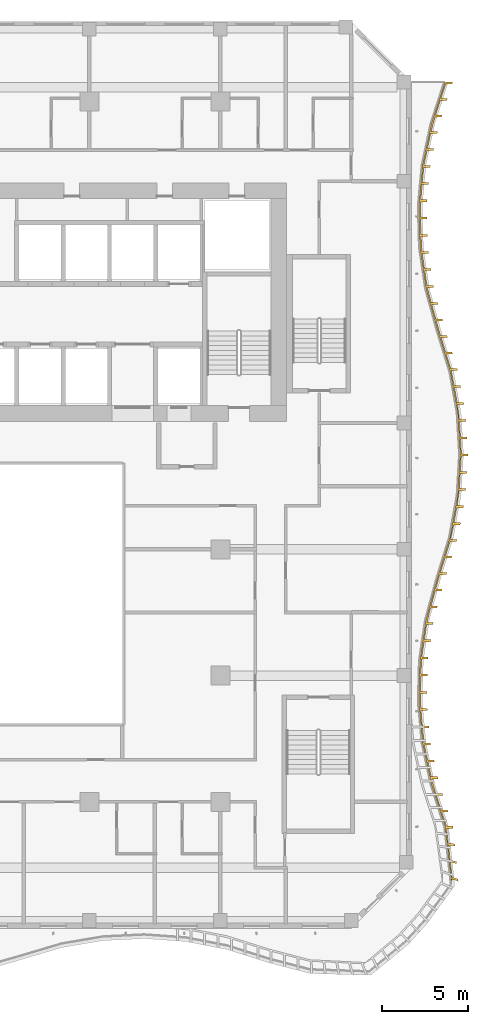
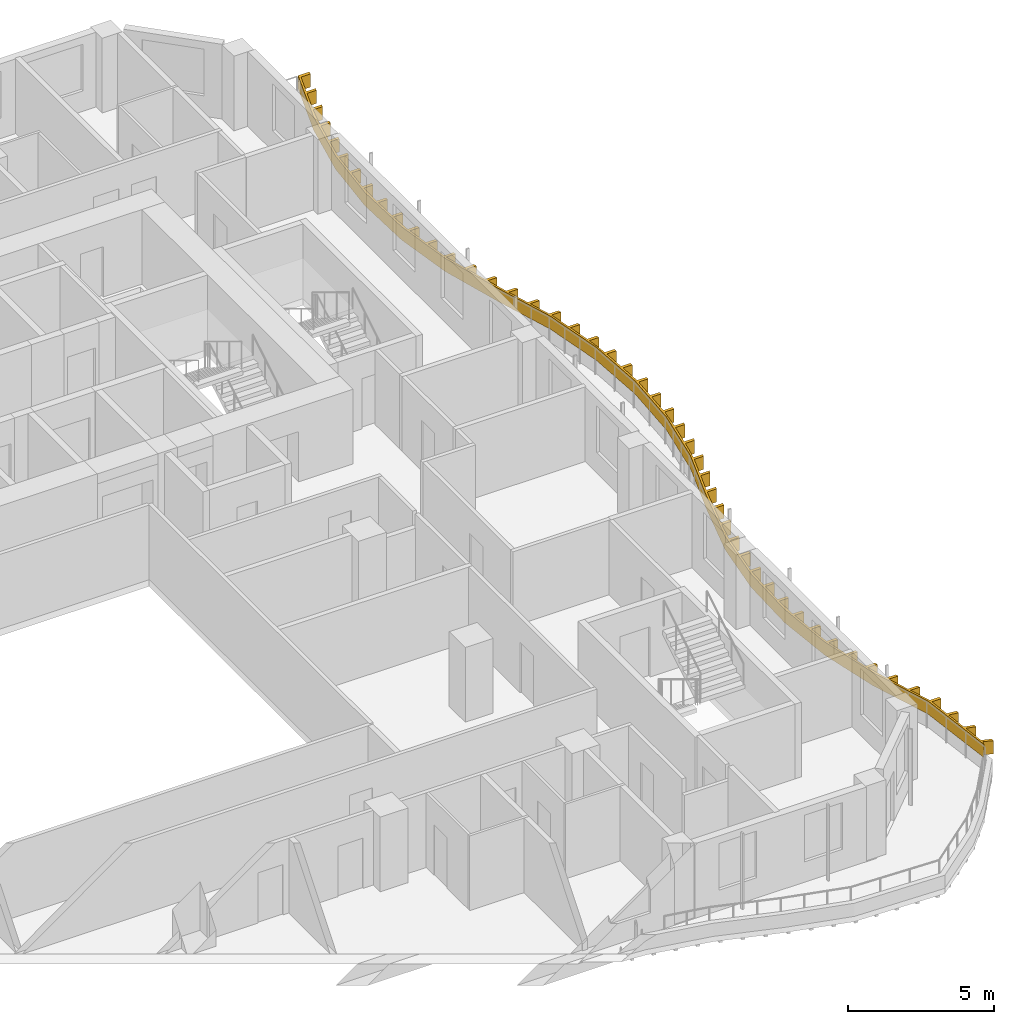
# One storey, part 19 of 22: 1 shading device.
"""IFC4 building model written with IfcOpenShell, lengths in metres."""

from ifc_helpers import new_model, si_unit, direction, frame, origin, place, context, subcontext, project, spatial, polyline, outline, extrude, source, transform, mapped, material, layer, layer_set, type_object, element, save


model = new_model("IFC4")

# Units and contexts
model_context = context("Model", 3, precision=1e-05, world=origin(), true_north=direction((0.0, 1.0)))
body_context = subcontext(model_context, "Body", "Model", "MODEL_VIEW")
ifc_project = project(units=[si_unit("LENGTHUNIT", "METRE"), si_unit("AREAUNIT", "SQUARE_METRE"), si_unit("VOLUMEUNIT", "CUBIC_METRE"), si_unit("PLANEANGLEUNIT", "RADIAN"), si_unit("MASSUNIT", "GRAM", prefix="KILO")], contexts=[model_context])

# Site, building, storey
site_placement = place(None, origin())
site = spatial("IfcSite", under=ifc_project, at=site_placement, CompositionType="ELEMENT")
building_placement = place(site_placement, origin())
building = spatial("IfcBuilding", under=site, at=building_placement, Name="Kilnfold Tower and Market Hall", CompositionType="ELEMENT")
storey_placement = place(building_placement, frame((0.0, 0.0, 154.10009765625)))
storey = spatial("IfcBuildingStorey", under=building, at=storey_placement, Name="L35", CompositionType="ELEMENT", Elevation=154.10009765625)

# Shading device
ifc_material = material(Name="Bronze anodised aluminium", Category="aluminium")
ifc_layer = layer(ifc_material, 0.550048828125)
ifc_layer_set = layer_set([ifc_layer], Name="Bronze anodised aluminium")
shading_device_type = type_object("IfcShadingDeviceType", Name="BRONZE SLAT FASCIA 550", PredefinedType="USERDEFINED", material=ifc_layer_set)
shared_shape = source(origin(), body_context, "Body", "SweptSolid", [
    extrude(outline(polyline([(27.943603515625, -18.53173828125), (27.597900390625, -18.40380859375), (27.544189453125, -18.552734375), (27.18359375, -15.355224609375), (26.404052734375, -12.96044921875), (25.884765625, -10.56591796875), (25.661376953125, -8.171142578125), (25.723388671875, -5.7763671875), (26.07421875, -3.381591796875), (26.7294921875, -0.98681640625), (27.469970703125, 1.407958984375), (27.90576171875, 3.802490234375), (28.050048828125, 6.197509765625), (27.908935546875, 8.592041015625), (27.476318359375, 10.98681640625), (26.73828125, 13.381591796875), (26.07958984375, 15.7763671875), (25.7255859375, 18.171142578125), (25.660400390625, 20.56591796875), (25.880859375, 22.96044921875), (26.396728515625, 25.355224609375), (27.175537109375, 27.75), (27.62548828125, 27.75), (27.585205078125, 27.62548828125), (27.215087890625, 27.62548828125), (26.943115234375, 26.788818359375), (27.31298828125, 26.788818359375), (27.27587890625, 26.674560546875), (26.90576171875, 26.674560546875), (26.6337890625, 25.837646484375), (27.003662109375, 25.837646484375), (26.966552734375, 25.7236328125), (26.5966796875, 25.7236328125), (26.373046875, 24.87353515625), (26.742919921875, 24.87353515625), (26.7177734375, 24.75634765625), (26.347900390625, 24.75634765625), (26.162353515625, 23.89599609375), (26.532470703125, 23.89599609375), (26.507080078125, 23.77880859375), (26.13720703125, 23.77880859375), (25.95703125, 22.917724609375), (26.326904296875, 22.917724609375), (26.31591796875, 22.798095703125), (25.946044921875, 22.798095703125), (25.865234375, 21.921875), (26.2353515625, 21.921875), (26.224365234375, 21.802490234375), (25.854248046875, 21.802490234375), (25.773681640625, 20.926025390625), (26.1435546875, 20.926025390625), (26.132568359375, 20.806640625), (25.7626953125, 20.806640625), (25.7578125, 19.927978515625), (26.127685546875, 19.927978515625), (26.131103515625, 19.807861328125), (25.760986328125, 19.807861328125), (25.78515625, 18.92822265625), (26.155029296875, 18.92822265625), (26.158203125, 18.808349609375), (25.788330078125, 18.808349609375), (25.84130859375, 17.93115234375), (26.211181640625, 17.93115234375), (26.228759765625, 17.8125), (25.858642578125, 17.8125), (25.9873046875, 16.94189453125), (26.357421875, 16.94189453125), (26.375, 16.8232421875), (26.0048828125, 16.8232421875), (26.133544921875, 15.95263671875), (26.50341796875, 15.95263671875), (26.52099609375, 15.833984375), (26.151123046875, 15.833984375), (26.37744140625, 14.98388671875), (26.74755859375, 14.98388671875), (26.779296875, 14.868408203125), (26.4091796875, 14.868408203125), (26.642578125, 14.019775390625), (27.0126953125, 14.019775390625), (27.04443359375, 13.904052734375), (26.674560546875, 13.904052734375), (26.917724609375, 13.05859375), (27.287841796875, 13.05859375), (27.322998046875, 12.94384765625), (26.953125, 12.94384765625), (27.21240234375, 12.102783203125), (27.582275390625, 12.102783203125), (27.61767578125, 11.988037109375), (27.247802734375, 11.988037109375), (27.5068359375, 11.147216796875), (27.876953125, 11.147216796875), (27.912109375, 11.032470703125), (27.542236328125, 11.032470703125), (27.7041015625, 10.16796875), (28.07421875, 10.16796875), (28.095703125, 10.0498046875), (27.7255859375, 10.0498046875), (27.882080078125, 9.183837890625), (28.251953125, 9.183837890625), (28.273193359375, 9.065673828125), (27.9033203125, 9.065673828125), (28.012451171875, 8.194091796875), (28.38232421875, 8.194091796875), (28.389404296875, 8.07421875), (28.019287109375, 8.07421875), (28.0712890625, 7.19580078125), (28.441162109375, 7.19580078125), (28.4482421875, 7.075927734375), (28.078125, 7.075927734375), (28.1298828125, 6.197509765625), (28.5, 6.197509765625), (28.492919921875, 6.077880859375), (28.122802734375, 6.077880859375), (28.06982421875, 5.19921875), (28.43994140625, 5.19921875), (28.4326171875, 5.07958984375), (28.062744140625, 5.07958984375), (28.009765625, 4.201171875), (28.3798828125, 4.201171875), (28.37255859375, 4.081298828125), (28.002685546875, 4.081298828125), (27.878173828125, 3.211669921875), (28.248291015625, 3.211669921875), (28.226806640625, 3.093505859375), (27.856689453125, 3.093505859375), (27.69921875, 2.227783203125), (28.069091796875, 2.227783203125), (28.047607421875, 2.109619140625), (27.677734375, 2.109619140625), (27.500732421875, 1.24853515625), (27.87060546875, 1.24853515625), (27.835205078125, 1.134033203125), (27.46533203125, 1.134033203125), (27.205322265625, 0.293212890625), (27.5751953125, 0.293212890625), (27.539794921875, 0.1787109375), (27.169921875, 0.1787109375), (26.909912109375, -0.662109375), (27.27978515625, -0.662109375), (27.244384765625, -0.776611328125), (26.87451171875, -0.776611328125), (26.63525390625, -1.62353515625), (27.005126953125, -1.62353515625), (26.9736328125, -1.7392578125), (26.603515625, -1.7392578125), (26.371337890625, -2.588134765625), (26.741455078125, -2.588134765625), (26.709716796875, -2.703857421875), (26.339599609375, -2.703857421875), (26.128662109375, -3.556884765625), (26.49853515625, -3.556884765625), (26.481201171875, -3.67578125), (26.111083984375, -3.67578125), (25.983642578125, -4.54638671875), (26.353759765625, -4.54638671875), (26.336181640625, -4.665283203125), (25.96630859375, -4.665283203125), (25.838623046875, -5.535888671875), (26.208740234375, -5.535888671875), (26.19140625, -5.654541015625), (25.8212890625, -5.654541015625), (25.78369140625, -6.533203125), (26.15380859375, -6.533203125), (26.150634765625, -6.653076171875), (25.78076171875, -6.653076171875), (25.7578125, -7.53271484375), (26.1279296875, -7.53271484375), (26.124755859375, -7.652587890625), (25.7548828125, -7.652587890625), (25.77490234375, -8.531005859375), (26.14501953125, -8.531005859375), (26.156005859375, -8.650390625), (25.785888671875, -8.650390625), (25.867919921875, -9.526611328125), (26.23779296875, -9.526611328125), (26.2490234375, -9.64599609375), (25.87890625, -9.64599609375), (25.960693359375, -10.522216796875), (26.330810546875, -10.522216796875), (26.35107421875, -10.640380859375), (25.98095703125, -10.640380859375), (26.16748046875, -11.50048828125), (26.53759765625, -11.50048828125), (26.56298828125, -11.61767578125), (26.19287109375, -11.61767578125), (26.37939453125, -12.477783203125), (26.74951171875, -12.477783203125), (26.77490234375, -12.594970703125), (26.40478515625, -12.594970703125), (26.640625, -13.441650390625), (27.0107421875, -13.441650390625), (27.0478515625, -13.5556640625), (26.677734375, -13.5556640625), (26.9501953125, -14.392578125), (27.3203125, -14.392578125), (27.357421875, -14.506591796875), (26.9873046875, -14.506591796875), (27.259521484375, -15.343505859375), (27.629638671875, -15.343505859375), (27.633544921875, -15.355224609375), (27.644287109375, -15.465087890625), (27.27490234375, -15.460693359375), (27.3681640625, -16.323974609375), (27.73193359375, -16.36474609375), (27.743896484375, -16.4873046875), (27.381103515625, -16.441650390625), (27.475830078125, -17.3046875), (27.831787109375, -17.386962890625), (27.84375, -17.509521484375), (27.48876953125, -17.422607421875), (27.5849609375, -18.2861328125), (27.931396484375, -18.4091796875), (27.943603515625, -18.53173828125)])), origin(), (0.0, 0.0, 1.0), 0.550048828125),
])
shading_device_placement = place(storey_placement, frame((0.0, 0.0, 0.5498046875)))
element("IfcShadingDevice", 1, at=shading_device_placement, inside=storey, type_object=shading_device_type, Name="Balcony slat fascia L35", ObjectType="SLAT", PredefinedType="USERDEFINED", context=body_context, shape_type="MappedRepresentation", body=[
    mapped(shared_shape, transform((0.0, 0.0, 0.0))),
])

save(model, "model.ifc")
